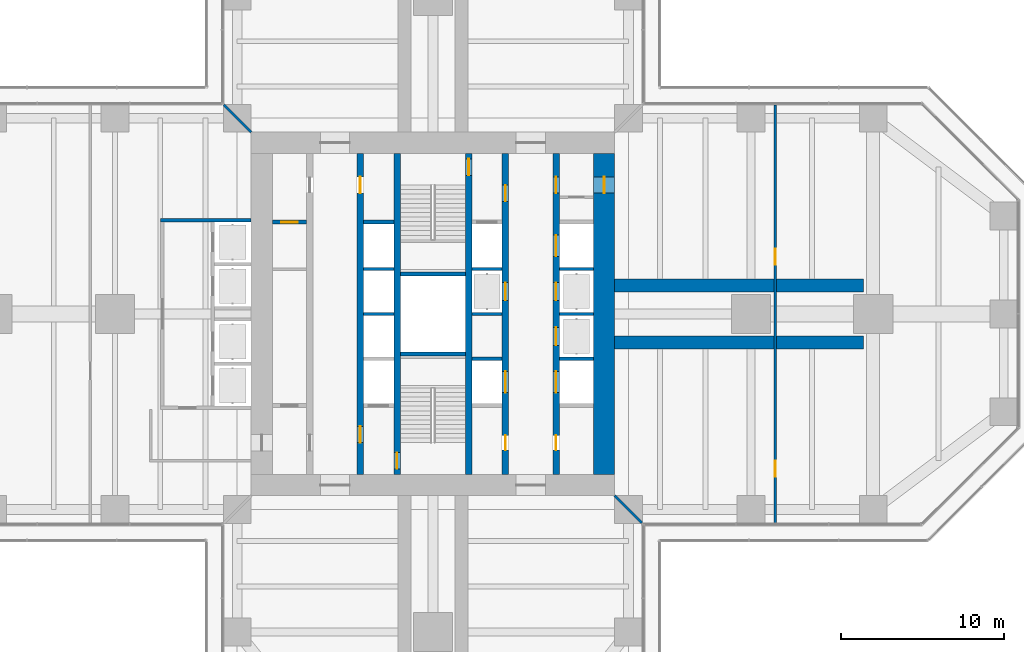
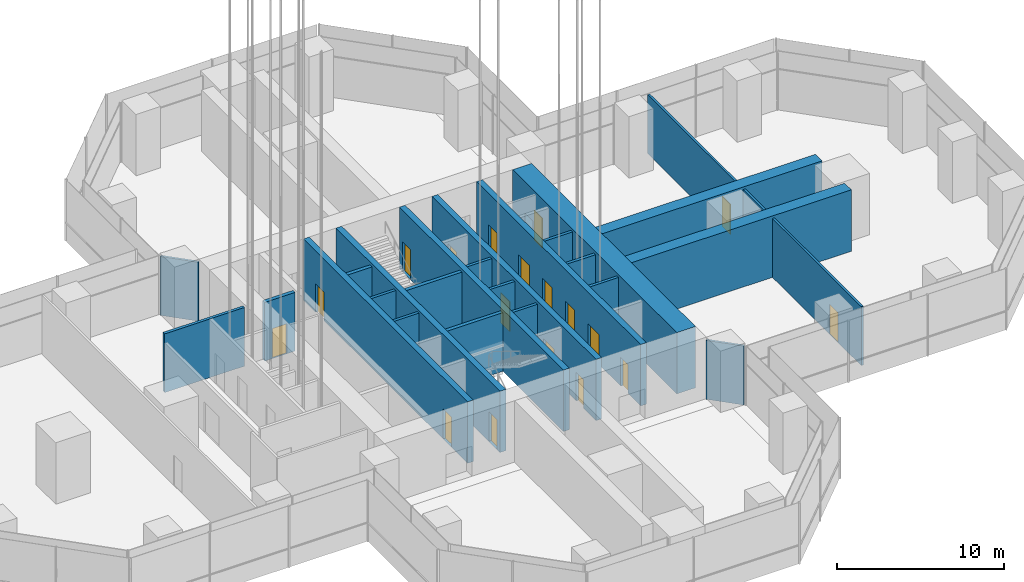
# One storey, part 15 of 34: 24 walls, 18 doors, 18 openings.
"""IFC4 building model written with IfcOpenShell, lengths in metres."""

import ifcopenshell
import ifcopenshell.guid

model = None  # the IFC model being written
_history = None  # IfcOwnerHistory: only IFC2X3 demands one
_inside = {}  # id of a spatial element -> (the spatial element, [elements in it])
_under = {}  # id of a project, library or spatial element -> (it, [spatial elements below it])
_declared = {}  # id of a project -> (the project, [libraries it declares])
_typed = {}  # id of a type object -> (the type object, [elements of that type])
_made_of = {}  # id of a material, layer set ... -> (it, [elements and type objects made of it])


def new_model(schema):
    """Start an empty IFC model of exactly this schema.

    Asked for "IFC4X3", IfcOpenShell would pick the latest addendum, in which some entities
    have other attributes; the version numbers below select the first issue.
    IFC2X3 requires an IfcOwnerHistory on every rooted entity: one is made here for all.
    """
    global model, _history
    if schema == "IFC4X3":
        model = ifcopenshell.file(schema_version=(4, 3, 0, 0))
    else:
        model = ifcopenshell.file(schema=schema)
    _inside.clear()
    _under.clear()
    _declared.clear()
    _typed.clear()
    _made_of.clear()
    _history = None
    if model.schema == "IFC2X3":
        org = make("IfcOrganization", Name="unknown")
        user = make(
            "IfcPersonAndOrganization",
            ThePerson=make("IfcPerson", FamilyName="unknown"),
            TheOrganization=org,
        )
        app = make(
            "IfcApplication",
            ApplicationDeveloper=org,
            Version="unknown",
            ApplicationFullName="unknown",
            ApplicationIdentifier="unknown",
        )
        _history = make(
            "IfcOwnerHistory",
            OwningUser=user,
            OwningApplication=app,
            ChangeAction="ADDED",
            CreationDate=0,
        )
    return model


def make(cls, **values):
    """One entity of the class cls with the attributes given. An attribute that is None is left unset."""
    return model.create_entity(
        cls, **{name: value for name, value in values.items() if value is not None}
    )


def rooted(cls, **values):
    """An entity with a GlobalId (a new one), such as an element, a storey or a relation."""
    return make(cls, GlobalId=ifcopenshell.guid.new(), OwnerHistory=_history, **values)


def si_unit(unit_type, name, prefix=None):
    """IfcSIUnit, for example si_unit("LENGTHUNIT", "METRE", prefix="MILLI")."""
    return make("IfcSIUnit", UnitType=unit_type, Prefix=prefix, Name=name)


def assignment(units):
    """IfcUnitAssignment: the units of a project."""
    return None if units is None else make("IfcUnitAssignment", Units=units)


def point(xyz):
    """IfcCartesianPoint."""
    return None if xyz is None else make("IfcCartesianPoint", Coordinates=xyz)


def direction(xyz):
    """IfcDirection."""
    return None if xyz is None else make("IfcDirection", DirectionRatios=xyz)


def frame(location, z_axis=None, x_axis=None):
    """IfcAxis2Placement3D, a coordinate frame: its origin and axes. An axis left out is left unset."""
    return make(
        "IfcAxis2Placement3D",
        Location=point(location),
        Axis=direction(z_axis),
        RefDirection=direction(x_axis),
    )


def frame_2d(location, x_axis=None):
    """IfcAxis2Placement2D, a coordinate frame in the plane: its origin and x axis."""
    return make(
        "IfcAxis2Placement2D", Location=point(location), RefDirection=direction(x_axis)
    )


def origin():
    """The frame at (0, 0, 0) with its axes left unset."""
    return frame((0.0, 0.0, 0.0))


def place(relative_to, where):
    """IfcLocalPlacement: puts the frame where relative to a parent placement (None: the world)."""
    return make(
        "IfcLocalPlacement", PlacementRelTo=relative_to, RelativePlacement=where
    )


def context(
    kind, dimensions, precision=None, world=None, true_north=None, identifier=None
):
    """IfcGeometricRepresentationContext, for example the 3D "Model" context."""
    return make(
        "IfcGeometricRepresentationContext",
        ContextIdentifier=identifier,
        ContextType=kind,
        CoordinateSpaceDimension=dimensions,
        Precision=precision,
        WorldCoordinateSystem=world,
        TrueNorth=true_north,
    )


def subcontext(parent, identifier, kind, view, scale=None):
    """IfcGeometricRepresentationSubContext, for example "Body" below "Model"."""
    return make(
        "IfcGeometricRepresentationSubContext",
        ContextIdentifier=identifier,
        ContextType=kind,
        ParentContext=parent,
        TargetScale=scale,
        TargetView=view,
    )


def project(units=None, contexts=None):
    """IfcProject with its units and contexts."""
    return rooted(
        "IfcProject",
        Name="project",
        RepresentationContexts=contexts,
        UnitsInContext=assignment(units),
    )


def spatial(cls, under=None, at=None, **own):
    """A site, building, storey or space (cls), placed at a placement, below another one or the project."""
    s = rooted(cls, ObjectPlacement=at, **own)
    if under is not None:
        _under.setdefault(under.id(), (under, []))[1].append(s)
    return s


def profile(cls, at=None, kind="AREA", **sizes):
    """A parametric profile (cls). Its sizes go by their IFC names, for example OverallWidth=200.0."""
    return make(cls, ProfileType=kind, Position=at, **sizes)


def rectangle(**sizes):
    """IfcRectangleProfileDef."""
    return profile("IfcRectangleProfileDef", **sizes)


def extrude(swept, where, along, depth):
    """IfcExtrudedAreaSolid: the profile swept, set in the frame where, extruded along a direction by depth."""
    return make(
        "IfcExtrudedAreaSolid",
        SweptArea=swept,
        Position=where,
        ExtrudedDirection=direction(along),
        Depth=depth,
    )


def shape(context_of_items, identifier, shape_type, items):
    """IfcShapeRepresentation: the items that make up one representation, for example the "Body"."""
    return make(
        "IfcShapeRepresentation",
        ContextOfItems=context_of_items,
        RepresentationIdentifier=identifier,
        RepresentationType=shape_type,
        Items=items,
    )


def material(Name=None, Category=None):
    """IfcMaterial."""
    return make("IfcMaterial", Name=Name, Category=Category)


def layer(
    of_material, thickness, ventilated=None, Name=None, Category=None, Priority=None
):
    """IfcMaterialLayer: one layer of a wall or slab, of a material (None: an air gap)."""
    return make(
        "IfcMaterialLayer",
        Material=of_material,
        LayerThickness=thickness,
        IsVentilated=ventilated,
        Name=Name,
        Category=Category,
        Priority=Priority,
    )


def layer_set(layers, Name=None):
    """IfcMaterialLayerSet."""
    return make("IfcMaterialLayerSet", MaterialLayers=layers, LayerSetName=Name)


def made_of(thing, what):
    """Note that an element or type object is made of a material, layer set ...; save() writes the relation."""
    if what is not None:
        _made_of.setdefault(what.id(), (what, []))[1].append(thing)
    return thing


def type_object(cls, material=None, **own):
    """A type object (cls), such as IfcWallType, which elements share."""
    return made_of(rooted(cls, **own), material)


def element(
    cls,
    number,
    at=None,
    inside=None,
    cuts=None,
    type_object=None,
    material=None,
    context=None,
    identifier="Body",
    shape_type=None,
    held_by="IfcProductDefinitionShape",
    body=None,
    shapes=None,
    **own,
):
    """One element of the class cls, such as IfcWall. Its Tag is "e" and its number.

    at: its placement. inside: the storey or other place that contains it. cuts: it is an
    opening in that element (IfcRelVoidsElement). A single representation is given by context,
    identifier, shape_type and body (its items); several are given by shapes. held_by: the class
    of the entity that holds the representations. save() writes the other relations.
    """
    e = rooted(cls, Tag="e%d" % number, ObjectPlacement=at, **own)
    if body is not None:
        shapes = [shape(context, identifier, shape_type, body)]
    if shapes is not None:
        e.Representation = make(held_by, Representations=shapes)
    if inside is not None:
        _inside.setdefault(inside.id(), (inside, []))[1].append(e)
    if cuts is not None:
        rooted(
            "IfcRelVoidsElement", RelatingBuildingElement=cuts, RelatedOpeningElement=e
        )
    if type_object is not None:
        _typed.setdefault(type_object.id(), (type_object, []))[1].append(e)
    return made_of(e, material)


def fill(opening, filler):
    """IfcRelFillsElement: the door or window that sits in an opening."""
    return rooted(
        "IfcRelFillsElement",
        RelatingOpeningElement=opening,
        RelatedBuildingElement=filler,
    )


def aggregate(whole, parts):
    """IfcRelAggregates: a whole, such as a stair, and the parts it consists of."""
    return rooted("IfcRelAggregates", RelatingObject=whole, RelatedObjects=parts)


def save(model, path):
    """Write the relations noted so far, then the file.

    IfcRelAggregates (storeys below a building ...), IfcRelContainedInSpatialStructure (elements
    in a storey), IfcRelDefinesByType, IfcRelAssociatesMaterial and IfcRelDeclares: one each for
    every whole, place, type object, material and project.
    """
    for whole, parts in _under.values():
        aggregate(whole, parts)
    for where, things in _inside.values():
        rooted(
            "IfcRelContainedInSpatialStructure",
            RelatedElements=things,
            RelatingStructure=where,
        )
    for kind, things in _typed.values():
        rooted("IfcRelDefinesByType", RelatedObjects=things, RelatingType=kind)
    for what, things in _made_of.values():
        rooted("IfcRelAssociatesMaterial", RelatedObjects=things, RelatingMaterial=what)
    for by, libraries in _declared.values():
        rooted("IfcRelDeclares", RelatingContext=by, RelatedDefinitions=libraries)
    model.write(path)


model = new_model("IFC4")

# Units and contexts
model_context = context("Model", 3, precision=1e-05, world=origin(), true_north=direction((0.0, 1.0)))
body_context = subcontext(model_context, "Body", "Model", "MODEL_VIEW")
ifc_project = project(units=[si_unit("LENGTHUNIT", "METRE"), si_unit("AREAUNIT", "SQUARE_METRE"), si_unit("VOLUMEUNIT", "CUBIC_METRE"), si_unit("PLANEANGLEUNIT", "RADIAN"), si_unit("MASSUNIT", "GRAM", prefix="KILO")], contexts=[model_context])

# Site, building, storey
site_placement = place(None, origin())
site = spatial("IfcSite", under=ifc_project, at=site_placement, CompositionType="ELEMENT")
building_placement = place(site_placement, origin())
building = spatial("IfcBuilding", under=site, at=building_placement, Name="Mizan Broadcast Tower", CompositionType="ELEMENT")
storey_placement = place(building_placement, frame((0.0, 0.0, 194.39990234375)))
storey = spatial("IfcBuildingStorey", under=building, at=storey_placement, Name="L45", CompositionType="ELEMENT", Elevation=194.39990234375)

# Wall, openings, doors
ifc_material_1 = material(Name="Concrete C70/85", Category="concrete")
ifc_layer_1 = layer(ifc_material_1, 0.39990234375)
ifc_layer_set_1 = layer_set([ifc_layer_1], Name="Concrete C70/85")
wall_type_1 = type_object("IfcWallType", Name="CORE INTERNAL WALL 400", PredefinedType="SHEAR", material=ifc_layer_set_1)
wall_1_placement = place(storey_placement, frame((7.550048828125, 9.85009765625, 0.0), z_axis=(0.0, 0.0, 1.0), x_axis=(0.0, -1.0, 0.0)))
wall_1 = element("IfcWall", 1, at=wall_1_placement, inside=storey, type_object=wall_type_1, Name="Core wall CORE/XW1E", PredefinedType="SHEAR", context=body_context, shape_type="SweptSolid", body=[
    extrude(rectangle(XDim=19.7001953125, YDim=0.39990234375, at=frame_2d((9.85009765625, 0.0))), origin(), (0.0, 0.0, 1.0), 4.5),
])
opening_1_placement = place(wall_1_placement, frame((1.449951171875, 0.0, 0.0)))
opening_1 = element("IfcOpeningElement", 2, at=opening_1_placement, cuts=wall_1, Name="Opening D10F", PredefinedType="OPENING", context=body_context, shape_type="SweptSolid", body=[
    extrude(rectangle(XDim=1.0, YDim=2.199951171875, at=frame_2d((0.5, 1.10009765625))), frame((0.0, 0.2099609375, 0.0), z_axis=(0.0, -1.0, 0.0), x_axis=(1.0, 0.0, 0.0)), (0.0, 0.0, 1.0), 0.419921875),
])
opening_2_placement = place(wall_1_placement, frame((17.300048828125, 0.0, 0.0)))
opening_2 = element("IfcOpeningElement", 3, at=opening_2_placement, cuts=wall_1, Name="Opening D09", PredefinedType="OPENING", context=body_context, shape_type="SweptSolid", body=[
    extrude(rectangle(XDim=0.89990234375, YDim=2.10009765625, at=frame_2d((0.449951171875, 1.050048828125))), frame((0.0, 0.2099609375, 0.0), z_axis=(0.0, -1.0, 0.0), x_axis=(1.0, 0.0, 0.0)), (0.0, 0.0, 1.0), 0.419921875),
])
opening_3_placement = place(wall_1_placement, frame((7.925048828125, 0.0, 0.0)))
opening_3 = element("IfcOpeningElement", 4, at=opening_3_placement, cuts=wall_1, Name="Opening LD", PredefinedType="OPENING", context=body_context, shape_type="SweptSolid", body=[
    extrude(rectangle(XDim=1.10009765625, YDim=2.199951171875, at=frame_2d((0.550048828125, 1.10009765625))), frame((0.0, 0.2099609375, 0.0), z_axis=(0.0, -1.0, 0.0), x_axis=(1.0, 0.0, 0.0)), (0.0, 0.0, 1.0), 0.419921875),
])
opening_4_placement = place(wall_1_placement, frame((10.675048828125, 0.0, 0.0)))
opening_4 = element("IfcOpeningElement", 5, at=opening_4_placement, cuts=wall_1, Name="Opening LD", PredefinedType="OPENING", context=body_context, shape_type="SweptSolid", body=[
    extrude(rectangle(XDim=1.10009765625, YDim=2.199951171875, at=frame_2d((0.550048828125, 1.10009765625))), frame((0.0, 0.2099609375, 0.0), z_axis=(0.0, -1.0, 0.0), x_axis=(1.0, 0.0, 0.0)), (0.0, 0.0, 1.0), 0.419921875),
])
opening_5_placement = place(wall_1_placement, frame((5.02490234375, 0.0, 0.0)))
opening_5 = element("IfcOpeningElement", 6, at=opening_5_placement, cuts=wall_1, Name="Opening LDS", PredefinedType="OPENING", context=body_context, shape_type="SweptSolid", body=[
    extrude(rectangle(XDim=1.300048828125, YDim=2.199951171875, at=frame_2d((0.64990234375, 1.10009765625))), frame((0.0, 0.2099609375, 0.0), z_axis=(0.0, -1.0, 0.0), x_axis=(1.0, 0.0, 0.0)), (0.0, 0.0, 1.0), 0.419921875),
])
opening_6_placement = place(wall_1_placement, frame((13.375, 0.0, 0.0)))
opening_6 = element("IfcOpeningElement", 7, at=opening_6_placement, cuts=wall_1, Name="Opening LDS", PredefinedType="OPENING", context=body_context, shape_type="SweptSolid", body=[
    extrude(rectangle(XDim=1.300048828125, YDim=2.199951171875, at=frame_2d((0.64990234375, 1.10009765625))), frame((0.0, 0.2099609375, 0.0), z_axis=(0.0, -1.0, 0.0), x_axis=(1.0, 0.0, 0.0)), (0.0, 0.0, 1.0), 0.419921875),
])
ifc_material_2 = material(Name="Steel door leaf in steel frame", Category="steel")
door_type_1 = type_object("IfcDoorType", Name="FIRE DOOR 1000 FD90", OperationType="SINGLE_SWING_LEFT", PredefinedType="DOOR", material=ifc_material_2)
door_1_placement = place(opening_1_placement, origin())
door_1 = element("IfcDoor", 8, at=door_1_placement, inside=storey, type_object=door_type_1, Name="East core passage door", OperationType="SINGLE_SWING_LEFT", OverallHeight=2.199951171875, OverallWidth=1.0, PredefinedType="DOOR", context=body_context, shape_type="SweptSolid", body=[
    extrude(rectangle(XDim=1.0, YDim=2.199951171875, at=frame_2d((0.5, 1.10009765625))), frame((0.0, 0.02490234375, 0.0), z_axis=(0.0, -1.0, 0.0), x_axis=(1.0, 0.0, 0.0)), (0.0, 0.0, 1.0), 0.050048828125),
])
fill(opening_1, door_1)
ifc_material_3 = material(Name="Steel door leaf in steel frame", Category="steel")
door_type_2 = type_object("IfcDoorType", Name="LIFT LANDING DOOR 1100", OperationType="SLIDING_TO_LEFT", PredefinedType="DOOR", material=ifc_material_3)
door_2_placement = place(opening_3_placement, origin())
door_2 = element("IfcDoor", 9, at=door_2_placement, inside=storey, type_object=door_type_2, Name="Landing door LD1", OperationType="SLIDING_TO_LEFT", OverallHeight=2.199951171875, OverallWidth=1.10009765625, PredefinedType="DOOR", context=body_context, shape_type="SweptSolid", body=[
    extrude(rectangle(XDim=1.10009765625, YDim=2.199951171875, at=frame_2d((0.550048828125, 1.10009765625))), frame((0.0, 0.02490234375, 0.0), z_axis=(0.0, -1.0, 0.0), x_axis=(1.0, 0.0, 0.0)), (0.0, 0.0, 1.0), 0.050048828125),
])
fill(opening_3, door_2)
door_3_placement = place(opening_4_placement, origin())
door_3 = element("IfcDoor", 10, at=door_3_placement, inside=storey, type_object=door_type_2, Name="Landing door LD2", OperationType="SLIDING_TO_LEFT", OverallHeight=2.199951171875, OverallWidth=1.10009765625, PredefinedType="DOOR", context=body_context, shape_type="SweptSolid", body=[
    extrude(rectangle(XDim=1.10009765625, YDim=2.199951171875, at=frame_2d((0.550048828125, 1.10009765625))), frame((0.0, 0.02490234375, 0.0), z_axis=(0.0, -1.0, 0.0), x_axis=(1.0, 0.0, 0.0)), (0.0, 0.0, 1.0), 0.050048828125),
])
fill(opening_4, door_3)
ifc_material_4 = material(Name="Steel door leaf in steel frame", Category="steel")
door_type_3 = type_object("IfcDoorType", Name="SHUTTLE LIFT LANDING DOOR 1300", OperationType="SLIDING_TO_LEFT", PredefinedType="DOOR", material=ifc_material_4)
door_4_placement = place(opening_5_placement, origin())
door_4 = element("IfcDoor", 11, at=door_4_placement, inside=storey, type_object=door_type_3, Name="Landing door SH1", OperationType="SLIDING_TO_LEFT", OverallHeight=2.199951171875, OverallWidth=1.300048828125, PredefinedType="DOOR", context=body_context, shape_type="SweptSolid", body=[
    extrude(rectangle(XDim=1.300048828125, YDim=2.199951171875, at=frame_2d((0.64990234375, 1.10009765625))), frame((0.0, 0.02490234375, 0.0), z_axis=(0.0, -1.0, 0.0), x_axis=(1.0, 0.0, 0.0)), (0.0, 0.0, 1.0), 0.050048828125),
])
fill(opening_5, door_4)
door_5_placement = place(opening_6_placement, origin())
door_5 = element("IfcDoor", 12, at=door_5_placement, inside=storey, type_object=door_type_3, Name="Landing door SH2", OperationType="SLIDING_TO_LEFT", OverallHeight=2.199951171875, OverallWidth=1.300048828125, PredefinedType="DOOR", context=body_context, shape_type="SweptSolid", body=[
    extrude(rectangle(XDim=1.300048828125, YDim=2.199951171875, at=frame_2d((0.64990234375, 1.10009765625))), frame((0.0, 0.02490234375, 0.0), z_axis=(0.0, -1.0, 0.0), x_axis=(1.0, 0.0, 0.0)), (0.0, 0.0, 1.0), 0.050048828125),
])
fill(opening_6, door_5)
ifc_material_5 = material(Name="Timber door leaf in aluminium frame", Category="wood")
door_type_4 = type_object("IfcDoorType", Name="TOILET DOOR 900", OperationType="SINGLE_SWING_LEFT", PredefinedType="DOOR", material=ifc_material_5)
door_6_placement = place(opening_2_placement, origin())
door_6 = element("IfcDoor", 13, at=door_6_placement, inside=storey, type_object=door_type_4, Name="Female WC door", OperationType="SINGLE_SWING_RIGHT", OverallHeight=2.10009765625, OverallWidth=0.89990234375, PredefinedType="DOOR", context=body_context, shape_type="SweptSolid", body=[
    extrude(rectangle(XDim=0.89990234375, YDim=2.10009765625, at=frame_2d((0.449951171875, 1.050048828125))), frame((0.0, 0.02490234375, 0.0), z_axis=(0.0, -1.0, 0.0), x_axis=(1.0, 0.0, 0.0)), (0.0, 0.0, 1.0), 0.050048828125),
])
fill(opening_2, door_6)

wall_2_placement = place(storey_placement, frame((-4.449951171875, -9.85009765625, 0.0), z_axis=(0.0, 0.0, 1.0), x_axis=(0.0, 1.0, 0.0)))
wall_2 = element("IfcWall", 14, at=wall_2_placement, inside=storey, type_object=wall_type_1, Name="Core wall CORE/XWH", PredefinedType="SHEAR", context=body_context, shape_type="SweptSolid", body=[
    extrude(rectangle(XDim=19.7001953125, YDim=0.39990234375, at=frame_2d((9.85009765625, 0.0))), origin(), (0.0, 0.0, 1.0), 4.5),
])
opening_7_placement = place(wall_2_placement, frame((1.949951171875, 0.0, 0.0)))
opening_7 = element("IfcOpeningElement", 15, at=opening_7_placement, cuts=wall_2, Name="Opening D10F", PredefinedType="OPENING", context=body_context, shape_type="SweptSolid", body=[
    extrude(rectangle(XDim=1.0, YDim=2.199951171875, at=frame_2d((0.5, 1.10009765625))), frame((0.0, 0.2099609375, 0.0), z_axis=(0.0, -1.0, 0.0), x_axis=(1.0, 0.0, 0.0)), (0.0, 0.0, 1.0), 0.419921875),
])
opening_8_placement = place(wall_2_placement, frame((17.25, 0.0, 0.0)))
opening_8 = element("IfcOpeningElement", 16, at=opening_8_placement, cuts=wall_2, Name="Opening D10A", PredefinedType="OPENING", context=body_context, shape_type="SweptSolid", body=[
    extrude(rectangle(XDim=1.0, YDim=2.10009765625, at=frame_2d((0.5, 1.050048828125))), frame((0.0, 0.2099609375, 0.0), z_axis=(0.0, -1.0, 0.0), x_axis=(1.0, 0.0, 0.0)), (0.0, 0.0, 1.0), 0.419921875),
])
ifc_material_6 = material(Name="Timber door leaf in aluminium frame", Category="wood")
door_type_5 = type_object("IfcDoorType", Name="ACCESSIBLE WC DOOR 1000", OperationType="SLIDING_TO_LEFT", PredefinedType="DOOR", material=ifc_material_6)
door_7_placement = place(opening_8_placement, origin())
door_7 = element("IfcDoor", 17, at=door_7_placement, inside=storey, type_object=door_type_5, Name="Accessible WC door", OperationType="SLIDING_TO_LEFT", OverallHeight=2.10009765625, OverallWidth=1.0, PredefinedType="DOOR", context=body_context, shape_type="SweptSolid", body=[
    extrude(rectangle(XDim=1.0, YDim=2.10009765625, at=frame_2d((0.5, 1.050048828125))), frame((0.0, 0.02490234375, 0.0), z_axis=(0.0, -1.0, 0.0), x_axis=(1.0, 0.0, 0.0)), (0.0, 0.0, 1.0), 0.050048828125),
])
fill(opening_8, door_7)
door_8_placement = place(opening_7_placement, origin())
door_8 = element("IfcDoor", 18, at=door_8_placement, inside=storey, type_object=door_type_1, Name="Firefighting lobby A door", OperationType="SINGLE_SWING_LEFT", OverallHeight=2.199951171875, OverallWidth=1.0, PredefinedType="DOOR", context=body_context, shape_type="SweptSolid", body=[
    extrude(rectangle(XDim=1.0, YDim=2.199951171875, at=frame_2d((0.5, 1.10009765625))), frame((0.0, 0.02490234375, 0.0), z_axis=(0.0, -1.0, 0.0), x_axis=(1.0, 0.0, 0.0)), (0.0, 0.0, 1.0), 0.050048828125),
])
fill(opening_7, door_8)

wall_3_placement = place(storey_placement, frame((4.449951171875, 9.85009765625, 0.0), z_axis=(0.0, 0.0, 1.0), x_axis=(0.0, -1.0, 0.0)))
wall_3 = element("IfcWall", 19, at=wall_3_placement, inside=storey, type_object=wall_type_1, Name="Core wall CORE/XWHE", PredefinedType="SHEAR", context=body_context, shape_type="SweptSolid", body=[
    extrude(rectangle(XDim=19.7001953125, YDim=0.39990234375, at=frame_2d((9.85009765625, 0.0))), origin(), (0.0, 0.0, 1.0), 4.5),
])
opening_9_placement = place(wall_3_placement, frame((1.949951171875, 0.0, 0.0)))
opening_9 = element("IfcOpeningElement", 20, at=opening_9_placement, cuts=wall_3, Name="Opening D10F", PredefinedType="OPENING", context=body_context, shape_type="SweptSolid", body=[
    extrude(rectangle(XDim=1.0, YDim=2.199951171875, at=frame_2d((0.5, 1.10009765625))), frame((0.0, 0.2099609375, 0.0), z_axis=(0.0, -1.0, 0.0), x_axis=(1.0, 0.0, 0.0)), (0.0, 0.0, 1.0), 0.419921875),
])
opening_10_placement = place(wall_3_placement, frame((17.300048828125, 0.0, 0.0)))
opening_10 = element("IfcOpeningElement", 21, at=opening_10_placement, cuts=wall_3, Name="Opening D09", PredefinedType="OPENING", context=body_context, shape_type="SweptSolid", body=[
    extrude(rectangle(XDim=0.89990234375, YDim=2.10009765625, at=frame_2d((0.449951171875, 1.050048828125))), frame((0.0, 0.2099609375, 0.0), z_axis=(0.0, -1.0, 0.0), x_axis=(1.0, 0.0, 0.0)), (0.0, 0.0, 1.0), 0.419921875),
])
opening_11_placement = place(wall_3_placement, frame((7.925048828125, 0.0, 0.0)))
opening_11 = element("IfcOpeningElement", 22, at=opening_11_placement, cuts=wall_3, Name="Opening LD", PredefinedType="OPENING", context=body_context, shape_type="SweptSolid", body=[
    extrude(rectangle(XDim=1.10009765625, YDim=2.199951171875, at=frame_2d((0.550048828125, 1.10009765625))), frame((0.0, 0.2099609375, 0.0), z_axis=(0.0, -1.0, 0.0), x_axis=(1.0, 0.0, 0.0)), (0.0, 0.0, 1.0), 0.419921875),
])
opening_12_placement = place(wall_3_placement, frame((13.375, 0.0, 0.0)))
opening_12 = element("IfcOpeningElement", 23, at=opening_12_placement, cuts=wall_3, Name="Opening LDS", PredefinedType="OPENING", context=body_context, shape_type="SweptSolid", body=[
    extrude(rectangle(XDim=1.300048828125, YDim=2.199951171875, at=frame_2d((0.64990234375, 1.10009765625))), frame((0.0, 0.2099609375, 0.0), z_axis=(0.0, -1.0, 0.0), x_axis=(1.0, 0.0, 0.0)), (0.0, 0.0, 1.0), 0.419921875),
])
door_9_placement = place(opening_9_placement, origin())
door_9 = element("IfcDoor", 24, at=door_9_placement, inside=storey, type_object=door_type_1, Name="Firefighting lobby B door", OperationType="SINGLE_SWING_LEFT", OverallHeight=2.199951171875, OverallWidth=1.0, PredefinedType="DOOR", context=body_context, shape_type="SweptSolid", body=[
    extrude(rectangle(XDim=1.0, YDim=2.199951171875, at=frame_2d((0.5, 1.10009765625))), frame((0.0, 0.02490234375, 0.0), z_axis=(0.0, -1.0, 0.0), x_axis=(1.0, 0.0, 0.0)), (0.0, 0.0, 1.0), 0.050048828125),
])
fill(opening_9, door_9)
door_10_placement = place(opening_11_placement, origin())
door_10 = element("IfcDoor", 25, at=door_10_placement, inside=storey, type_object=door_type_2, Name="Landing door LD3", OperationType="SLIDING_TO_LEFT", OverallHeight=2.199951171875, OverallWidth=1.10009765625, PredefinedType="DOOR", context=body_context, shape_type="SweptSolid", body=[
    extrude(rectangle(XDim=1.10009765625, YDim=2.199951171875, at=frame_2d((0.550048828125, 1.10009765625))), frame((0.0, 0.02490234375, 0.0), z_axis=(0.0, -1.0, 0.0), x_axis=(1.0, 0.0, 0.0)), (0.0, 0.0, 1.0), 0.050048828125),
])
fill(opening_11, door_10)
door_11_placement = place(opening_12_placement, origin())
door_11 = element("IfcDoor", 26, at=door_11_placement, inside=storey, type_object=door_type_3, Name="Landing door SH3", OperationType="SLIDING_TO_LEFT", OverallHeight=2.199951171875, OverallWidth=1.300048828125, PredefinedType="DOOR", context=body_context, shape_type="SweptSolid", body=[
    extrude(rectangle(XDim=1.300048828125, YDim=2.199951171875, at=frame_2d((0.64990234375, 1.10009765625))), frame((0.0, 0.02490234375, 0.0), z_axis=(0.0, -1.0, 0.0), x_axis=(1.0, 0.0, 0.0)), (0.0, 0.0, 1.0), 0.050048828125),
])
fill(opening_12, door_11)
door_12_placement = place(opening_10_placement, origin())
door_12 = element("IfcDoor", 27, at=door_12_placement, inside=storey, type_object=door_type_4, Name="Cleaner's store door", OperationType="SINGLE_SWING_RIGHT", OverallHeight=2.10009765625, OverallWidth=0.89990234375, PredefinedType="DOOR", context=body_context, shape_type="SweptSolid", body=[
    extrude(rectangle(XDim=0.89990234375, YDim=2.10009765625, at=frame_2d((0.449951171875, 1.050048828125))), frame((0.0, 0.02490234375, 0.0), z_axis=(0.0, -1.0, 0.0), x_axis=(1.0, 0.0, 0.0)), (0.0, 0.0, 1.0), 0.050048828125),
])
fill(opening_10, door_12)

# Wall, opening, door
wall_4_placement = place(storey_placement, frame((-2.199951171875, -9.85009765625, 0.0), z_axis=(0.0, 0.0, 1.0), x_axis=(0.0, 1.0, 0.0)))
wall_4 = element("IfcWall", 28, at=wall_4_placement, inside=storey, type_object=wall_type_1, Name="Core wall CORE/XW2", PredefinedType="SHEAR", context=body_context, shape_type="SweptSolid", body=[
    extrude(rectangle(XDim=19.7001953125, YDim=0.39990234375, at=frame_2d((9.85009765625, 0.0))), origin(), (0.0, 0.0, 1.0), 4.5),
])
opening_13_placement = place(wall_4_placement, frame((0.35009765625, 0.0, 0.0)))
opening_13 = element("IfcOpeningElement", 29, at=opening_13_placement, cuts=wall_4, Name="Opening D10S", PredefinedType="OPENING", context=body_context, shape_type="SweptSolid", body=[
    extrude(rectangle(XDim=1.0, YDim=2.199951171875, at=frame_2d((0.5, 1.10009765625))), frame((0.0, 0.2099609375, 0.0), z_axis=(0.0, -1.0, 0.0), x_axis=(1.0, 0.0, 0.0)), (0.0, 0.0, 1.0), 0.419921875),
])
ifc_material_7 = material(Name="Steel door leaf in steel frame", Category="steel")
door_type_6 = type_object("IfcDoorType", Name="STAIR DOOR 1000 FD90S", OperationType="SINGLE_SWING_RIGHT", PredefinedType="DOOR", material=ifc_material_7)
door_13_placement = place(opening_13_placement, origin())
door_13 = element("IfcDoor", 30, at=door_13_placement, inside=storey, type_object=door_type_6, Name="Stair A door", OperationType="SINGLE_SWING_RIGHT", OverallHeight=2.199951171875, OverallWidth=1.0, PredefinedType="DOOR", context=body_context, shape_type="SweptSolid", body=[
    extrude(rectangle(XDim=1.0, YDim=2.199951171875, at=frame_2d((0.5, 1.10009765625))), frame((0.0, 0.02490234375, 0.0), z_axis=(0.0, -1.0, 0.0), x_axis=(1.0, 0.0, 0.0)), (0.0, 0.0, 1.0), 0.050048828125),
])
fill(opening_13, door_13)

wall_5_placement = place(storey_placement, frame((2.199951171875, 9.85009765625, 0.0), z_axis=(0.0, 0.0, 1.0), x_axis=(0.0, -1.0, 0.0)))
wall_5 = element("IfcWall", 31, at=wall_5_placement, inside=storey, type_object=wall_type_1, Name="Core wall CORE/XW2E", PredefinedType="SHEAR", context=body_context, shape_type="SweptSolid", body=[
    extrude(rectangle(XDim=19.7001953125, YDim=0.39990234375, at=frame_2d((9.85009765625, 0.0))), origin(), (0.0, 0.0, 1.0), 4.5),
])
opening_14_placement = place(wall_5_placement, frame((0.35009765625, 0.0, 0.0)))
opening_14 = element("IfcOpeningElement", 32, at=opening_14_placement, cuts=wall_5, Name="Opening D10S", PredefinedType="OPENING", context=body_context, shape_type="SweptSolid", body=[
    extrude(rectangle(XDim=1.0, YDim=2.199951171875, at=frame_2d((0.5, 1.10009765625))), frame((0.0, 0.2099609375, 0.0), z_axis=(0.0, -1.0, 0.0), x_axis=(1.0, 0.0, 0.0)), (0.0, 0.0, 1.0), 0.419921875),
])
door_14_placement = place(opening_14_placement, origin())
door_14 = element("IfcDoor", 33, at=door_14_placement, inside=storey, type_object=door_type_6, Name="Stair B door", OperationType="SINGLE_SWING_RIGHT", OverallHeight=2.199951171875, OverallWidth=1.0, PredefinedType="DOOR", context=body_context, shape_type="SweptSolid", body=[
    extrude(rectangle(XDim=1.0, YDim=2.199951171875, at=frame_2d((0.5, 1.10009765625))), frame((0.0, 0.02490234375, 0.0), z_axis=(0.0, -1.0, 0.0), x_axis=(1.0, 0.0, 0.0)), (0.0, 0.0, 1.0), 0.050048828125),
])
fill(opening_14, door_14)

ifc_material_8 = material(Name="Concrete C70/85", Category="concrete")
ifc_layer_2 = layer(ifc_material_8, 1.300048828125)
ifc_layer_set_2 = layer_set([ifc_layer_2], Name="Concrete C70/85")
wall_type_2 = type_object("IfcWallType", Name="CORE WALL 1300", PredefinedType="SHEAR", material=ifc_layer_set_2)
wall_6_placement = place(storey_placement, frame((10.5, -9.85009765625, 0.0), z_axis=(0.0, 0.0, 1.0), x_axis=(0.0, 1.0, 0.0)))
wall_6 = element("IfcWall", 34, at=wall_6_placement, inside=storey, type_object=wall_type_2, Name="Core wall E L45", PredefinedType="SHEAR", context=body_context, shape_type="SweptSolid", body=[
    extrude(rectangle(XDim=19.7001953125, YDim=1.300048828125, at=frame_2d((9.85009765625, 0.0))), origin(), (0.0, 0.0, 1.0), 4.5),
])
opening_15_placement = place(wall_6_placement, frame((17.25, 0.0, 0.0)))
opening_15 = element("IfcOpeningElement", 35, at=opening_15_placement, cuts=wall_6, Name="Opening D10F", PredefinedType="OPENING", context=body_context, shape_type="SweptSolid", body=[
    extrude(rectangle(XDim=1.0, YDim=2.199951171875, at=frame_2d((0.5, 1.10009765625))), frame((0.0, 0.659912109375, 0.0), z_axis=(0.0, -1.0, 0.0), x_axis=(1.0, 0.0, 0.0)), (0.0, 0.0, 1.0), 1.320068359375),
])
door_15_placement = place(opening_15_placement, origin())
door_15 = element("IfcDoor", 36, at=door_15_placement, inside=storey, type_object=door_type_1, Name="East core passage arm door", OperationType="SINGLE_SWING_RIGHT", OverallHeight=2.199951171875, OverallWidth=1.0, PredefinedType="DOOR", context=body_context, shape_type="SweptSolid", body=[
    extrude(rectangle(XDim=1.0, YDim=2.199951171875, at=frame_2d((0.5, 1.10009765625))), frame((0.0, 0.02490234375, 0.0), z_axis=(0.0, -1.0, 0.0), x_axis=(1.0, 0.0, 0.0)), (0.0, 0.0, 1.0), 0.050048828125),
])
fill(opening_15, door_15)

# Walls
ifc_material_9 = material(Name="Concrete blockwork", Category="masonry")
ifc_layer_3 = layer(ifc_material_9, 0.199951171875)
ifc_layer_set_3 = layer_set([ifc_layer_3], Name="Concrete blockwork")
wall_type_3 = type_object("IfcWallType", Name="LIFT SHAFT WALL 200", PredefinedType="SOLIDWALL", material=ifc_layer_set_3)
wall_7_placement = place(storey_placement, frame((2.39990234375, -2.75, 0.0), z_axis=(0.0, 0.0, 1.0), x_axis=(1.0, 0.0, 0.0)))
element("IfcWall", 37, at=wall_7_placement, inside=storey, type_object=wall_type_3, Name="Lift shaft wall CORE/SE2-1", PredefinedType="SOLIDWALL", context=body_context, shape_type="SweptSolid", body=[
    extrude(rectangle(XDim=1.85009765625, YDim=0.199951171875, at=frame_2d((0.925048828125, 0.0))), origin(), (0.0, 0.0, 1.0), 4.300048828125),
])
wall_8_placement = place(storey_placement, frame((7.75, -2.75, 0.0), z_axis=(0.0, 0.0, 1.0), x_axis=(1.0, 0.0, 0.0)))
element("IfcWall", 38, at=wall_8_placement, inside=storey, type_object=wall_type_3, Name="Lift shaft wall CORE/SE1-1", PredefinedType="SOLIDWALL", context=body_context, shape_type="SweptSolid", body=[
    extrude(rectangle(XDim=2.10009765625, YDim=0.199951171875, at=frame_2d((1.050048828125, 0.0))), origin(), (0.0, 0.0, 1.0), 4.300048828125),
])
for number, where, z_axis, x_axis, name in (
    (39, (-4.25, 0.0, 0.0), (0.0, 0.0, 1.0), (1.0, 0.0, 0.0), "Lift shaft wall CORE/SW2-2"),
    (40, (2.39990234375, 0.0, 0.0), (0.0, 0.0, 1.0), (1.0, 0.0, 0.0), "Lift shaft wall CORE/SE2-2"),
):
    element("IfcWall", number, at=place(storey_placement, frame(where, z_axis=z_axis, x_axis=x_axis)), inside=storey, type_object=wall_type_3, Name=name, PredefinedType="SOLIDWALL", context=body_context, shape_type="SweptSolid", body=[
        extrude(rectangle(XDim=1.85009765625, YDim=0.199951171875, at=frame_2d((0.925048828125, 0.0))), origin(), (0.0, 0.0, 1.0), 4.300048828125),
    ])
wall_9_placement = place(storey_placement, frame((7.75, 0.0, 0.0), z_axis=(0.0, 0.0, 1.0), x_axis=(1.0, 0.0, 0.0)))
element("IfcWall", 41, at=wall_9_placement, inside=storey, type_object=wall_type_3, Name="Lift shaft wall CORE/SE1-2", PredefinedType="SOLIDWALL", context=body_context, shape_type="SweptSolid", body=[
    extrude(rectangle(XDim=2.10009765625, YDim=0.199951171875, at=frame_2d((1.050048828125, 0.0))), origin(), (0.0, 0.0, 1.0), 4.300048828125),
])
for number, where, z_axis, x_axis, name in (
    (42, (-4.25, 2.75, 0.0), (0.0, 0.0, 1.0), (1.0, 0.0, 0.0), "Lift shaft wall CORE/SW2-3"),
    (43, (2.39990234375, 2.75, 0.0), (0.0, 0.0, 1.0), (1.0, 0.0, 0.0), "Lift shaft wall CORE/SE2-3"),
):
    element("IfcWall", number, at=place(storey_placement, frame(where, z_axis=z_axis, x_axis=x_axis)), inside=storey, type_object=wall_type_3, Name=name, PredefinedType="SOLIDWALL", context=body_context, shape_type="SweptSolid", body=[
        extrude(rectangle(XDim=1.85009765625, YDim=0.199951171875, at=frame_2d((0.925048828125, 0.0))), origin(), (0.0, 0.0, 1.0), 4.300048828125),
    ])
wall_10_placement = place(storey_placement, frame((7.75, 2.75, 0.0), z_axis=(0.0, 0.0, 1.0), x_axis=(1.0, 0.0, 0.0)))
element("IfcWall", 44, at=wall_10_placement, inside=storey, type_object=wall_type_3, Name="Lift shaft wall CORE/SE1-3", PredefinedType="SOLIDWALL", context=body_context, shape_type="SweptSolid", body=[
    extrude(rectangle(XDim=2.10009765625, YDim=0.199951171875, at=frame_2d((1.050048828125, 0.0))), origin(), (0.0, 0.0, 1.0), 4.300048828125),
])
wall_11_placement = place(storey_placement, frame((-11.14990234375, 5.75, 0.0), z_axis=(0.0, 0.0, 1.0), x_axis=(-1.0, 0.0, 0.0)))
element("IfcWall", 45, at=wall_11_placement, inside=storey, type_object=wall_type_3, Name="Lift shaft wall LC/S1", PredefinedType="SOLIDWALL", context=body_context, shape_type="SweptSolid", body=[
    extrude(rectangle(XDim=5.550048828125, YDim=0.199951171875, at=frame_2d((2.77490234375, 0.0))), origin(), (0.0, 0.0, 1.0), 4.300048828125),
])

# Wall, opening, door
ifc_material_10 = material(Name="Concrete blockwork", Category="masonry")
ifc_layer_4 = layer(ifc_material_10, 0.25)
ifc_layer_set_4 = layer_set([ifc_layer_4], Name="Concrete blockwork")
wall_type_4 = type_object("IfcWallType", Name="LOBBY ENCLOSURE WALL 250", PredefinedType="SOLIDWALL", material=ifc_layer_set_4)
wall_12_placement = place(storey_placement, frame((-9.85009765625, 5.625, 0.0), z_axis=(0.0, 0.0, 1.0), x_axis=(1.0, 0.0, 0.0)))
wall_12 = element("IfcWall", 46, at=wall_12_placement, inside=storey, type_object=wall_type_4, Name="Lobby enclosure wall CORE/BW1N", PredefinedType="SOLIDWALL", context=body_context, shape_type="SweptSolid", body=[
    extrude(rectangle(XDim=2.10009765625, YDim=0.25, at=frame_2d((1.050048828125, 0.0))), origin(), (0.0, 0.0, 1.0), 4.300048828125),
])
opening_16_placement = place(wall_12_placement, frame((0.550048828125, 0.0, 0.0)))
opening_16 = element("IfcOpeningElement", 47, at=opening_16_placement, cuts=wall_12, Name="Opening D10F", PredefinedType="OPENING", context=body_context, shape_type="SweptSolid", body=[
    extrude(rectangle(XDim=1.0, YDim=2.199951171875, at=frame_2d((0.5, 1.10009765625))), frame((0.0, 0.135009765625, 0.0), z_axis=(0.0, -1.0, 0.0), x_axis=(1.0, 0.0, 0.0)), (0.0, 0.0, 1.0), 0.27001953125),
])
door_16_placement = place(opening_16_placement, origin())
door_16 = element("IfcDoor", 48, at=door_16_placement, inside=storey, type_object=door_type_1, Name="Staff locker room door", OperationType="SINGLE_SWING_RIGHT", OverallHeight=2.199951171875, OverallWidth=1.0, PredefinedType="DOOR", context=body_context, shape_type="SweptSolid", body=[
    extrude(rectangle(XDim=1.0, YDim=2.199951171875, at=frame_2d((0.5, 1.10009765625))), frame((0.0, 0.02490234375, 0.0), z_axis=(0.0, -1.0, 0.0), x_axis=(1.0, 0.0, 0.0)), (0.0, 0.0, 1.0), 0.050048828125),
])
fill(opening_16, door_16)

# Walls
wall_13_placement = place(storey_placement, frame((-4.25, 5.625, 0.0), z_axis=(0.0, 0.0, 1.0), x_axis=(1.0, 0.0, 0.0)))
element("IfcWall", 49, at=wall_13_placement, inside=storey, type_object=wall_type_4, Name="Lobby enclosure wall CORE/BW2N", PredefinedType="SOLIDWALL", context=body_context, shape_type="SweptSolid", body=[
    extrude(rectangle(XDim=1.85009765625, YDim=0.25, at=frame_2d((0.925048828125, 0.0))), origin(), (0.0, 0.0, 1.0), 4.300048828125),
])
for number, where, z_axis, x_axis, name in (
    (50, (-2.0, -2.449951171875, 0.0), (0.0, 0.0, 1.0), (1.0, 0.0, 0.0), "Lobby enclosure wall CORE/STA"),
    (51, (-2.0, 2.449951171875, 0.0), (0.0, 0.0, 1.0), (1.0, 0.0, 0.0), "Lobby enclosure wall CORE/STB"),
):
    element("IfcWall", number, at=place(storey_placement, frame(where, z_axis=z_axis, x_axis=x_axis)), inside=storey, type_object=wall_type_4, Name=name, PredefinedType="SOLIDWALL", context=body_context, shape_type="SweptSolid", body=[
        extrude(rectangle(XDim=4.0, YDim=0.25, at=frame_2d((2.0, 0.0))), origin(), (0.0, 0.0, 1.0), 4.300048828125),
    ])

# Wall, openings, doors
ifc_material_11 = material(Name="Gypsum board on steel studs", Category="steel")
ifc_layer_5 = layer(ifc_material_11, 0.14990234375)
ifc_layer_set_5 = layer_set([ifc_layer_5], Name="Gypsum board on steel studs")
wall_type_5 = type_object("IfcWallType", Name="PARTITION 150", PredefinedType="PARTITIONING", material=ifc_layer_set_5)
wall_14_placement = place(storey_placement, frame((21.0, -12.820068359375, 0.0), z_axis=(0.0, 0.0, 1.0), x_axis=(0.0, 1.0, 0.0)))
wall_14 = element("IfcWall", 52, at=wall_14_placement, inside=storey, type_object=wall_type_5, Name="Partition PT/EX1", PredefinedType="PARTITIONING", context=body_context, shape_type="SweptSolid", body=[
    extrude(rectangle(XDim=25.64013671875, YDim=0.14990234375, at=frame_2d((12.820068359375, 0.0))), origin(), (0.0, 0.0, 1.0), 4.320068359375),
])
opening_17_placement = place(wall_14_placement, frame((15.820068359375, 0.0, 0.0)))
opening_17 = element("IfcOpeningElement", 53, at=opening_17_placement, cuts=wall_14, Name="Opening D10", PredefinedType="OPENING", context=body_context, shape_type="SweptSolid", body=[
    extrude(rectangle(XDim=1.0, YDim=2.199951171875, at=frame_2d((0.5, 1.10009765625))), frame((0.0, 0.0849609375, 0.0), z_axis=(0.0, -1.0, 0.0), x_axis=(1.0, 0.0, 0.0)), (0.0, 0.0, 1.0), 0.169921875),
])
opening_18_placement = place(wall_14_placement, frame((2.820068359375, 0.0, 0.0)))
opening_18 = element("IfcOpeningElement", 54, at=opening_18_placement, cuts=wall_14, Name="Opening D10", PredefinedType="OPENING", context=body_context, shape_type="SweptSolid", body=[
    extrude(rectangle(XDim=1.0, YDim=2.199951171875, at=frame_2d((0.5, 1.10009765625))), frame((0.0, 0.0849609375, 0.0), z_axis=(0.0, -1.0, 0.0), x_axis=(1.0, 0.0, 0.0)), (0.0, 0.0, 1.0), 0.169921875),
])
ifc_material_12 = material(Name="Timber door leaf in aluminium frame", Category="wood")
door_type_7 = type_object("IfcDoorType", Name="ROOM DOOR 1000", OperationType="SINGLE_SWING_LEFT", PredefinedType="DOOR", material=ifc_material_12)
door_17_placement = place(opening_17_placement, origin())
door_17 = element("IfcDoor", 55, at=door_17_placement, inside=storey, type_object=door_type_7, Name="Business lounge door", OperationType="SINGLE_SWING_RIGHT", OverallHeight=2.199951171875, OverallWidth=1.0, PredefinedType="DOOR", context=body_context, shape_type="SweptSolid", body=[
    extrude(rectangle(XDim=1.0, YDim=2.199951171875, at=frame_2d((0.5, 1.10009765625))), frame((0.0, 0.02490234375, 0.0), z_axis=(0.0, -1.0, 0.0), x_axis=(1.0, 0.0, 0.0)), (0.0, 0.0, 1.0), 0.050048828125),
])
fill(opening_17, door_17)
door_18_placement = place(opening_18_placement, origin())
door_18 = element("IfcDoor", 56, at=door_18_placement, inside=storey, type_object=door_type_7, Name="Business lounge door", OperationType="SINGLE_SWING_LEFT", OverallHeight=2.199951171875, OverallWidth=1.0, PredefinedType="DOOR", context=body_context, shape_type="SweptSolid", body=[
    extrude(rectangle(XDim=1.0, YDim=2.199951171875, at=frame_2d((0.5, 1.10009765625))), frame((0.0, 0.02490234375, 0.0), z_axis=(0.0, -1.0, 0.0), x_axis=(1.0, 0.0, 0.0)), (0.0, 0.0, 1.0), 0.050048828125),
])
fill(opening_18, door_18)

# Walls
for number, where, z_axis, x_axis, name in (
    (57, (-11.14990234375, 11.14990234375, 0.0), (0.0, 0.0, 1.0), (-0.707106781187, 0.707106781187, 0.0), "Partition PT/DGWN"),
    (58, (11.14990234375, -11.14990234375, 0.0), (0.0, 0.0, 1.0), (0.707106781187, -0.707106781187, 0.0), "Partition PT/DGES"),
):
    element("IfcWall", number, at=place(storey_placement, frame(where, z_axis=z_axis, x_axis=x_axis)), inside=storey, type_object=wall_type_5, Name=name, PredefinedType="PARTITIONING", context=body_context, shape_type="SweptSolid", body=[
        extrude(rectangle(XDim=2.362060546875, YDim=0.14990234375, at=frame_2d((1.18115234375, 0.0))), origin(), (0.0, 0.0, 1.0), 4.320068359375),
    ])
ifc_material_13 = material(Name="Concrete C70/85", Category="concrete")
ifc_layer_6 = layer(ifc_material_13, 0.800048828125)
ifc_layer_set_6 = layer_set([ifc_layer_6], Name="Concrete C70/85")
wall_type_6 = type_object("IfcWallType", Name="SPINE WALL 800", PredefinedType="SHEAR", material=ifc_layer_set_6)
for number, where, z_axis, x_axis, name in (
    (59, (11.14990234375, -1.75, 0.0), (0.0, 0.0, 1.0), (1.0, 0.0, 0.0), "Spine wall ER L45"),
    (60, (11.14990234375, 1.75, 0.0), (0.0, 0.0, 1.0), (1.0, 0.0, 0.0), "Spine wall EL L45"),
):
    element("IfcWall", number, at=place(storey_placement, frame(where, z_axis=z_axis, x_axis=x_axis)), inside=storey, type_object=wall_type_6, Name=name, PredefinedType="SHEAR", context=body_context, shape_type="SweptSolid", body=[
        extrude(rectangle(XDim=15.25, YDim=0.800048828125, at=frame_2d((7.625, 0.0))), origin(), (0.0, 0.0, 1.0), 4.5),
    ])

save(model, "model.ifc")
